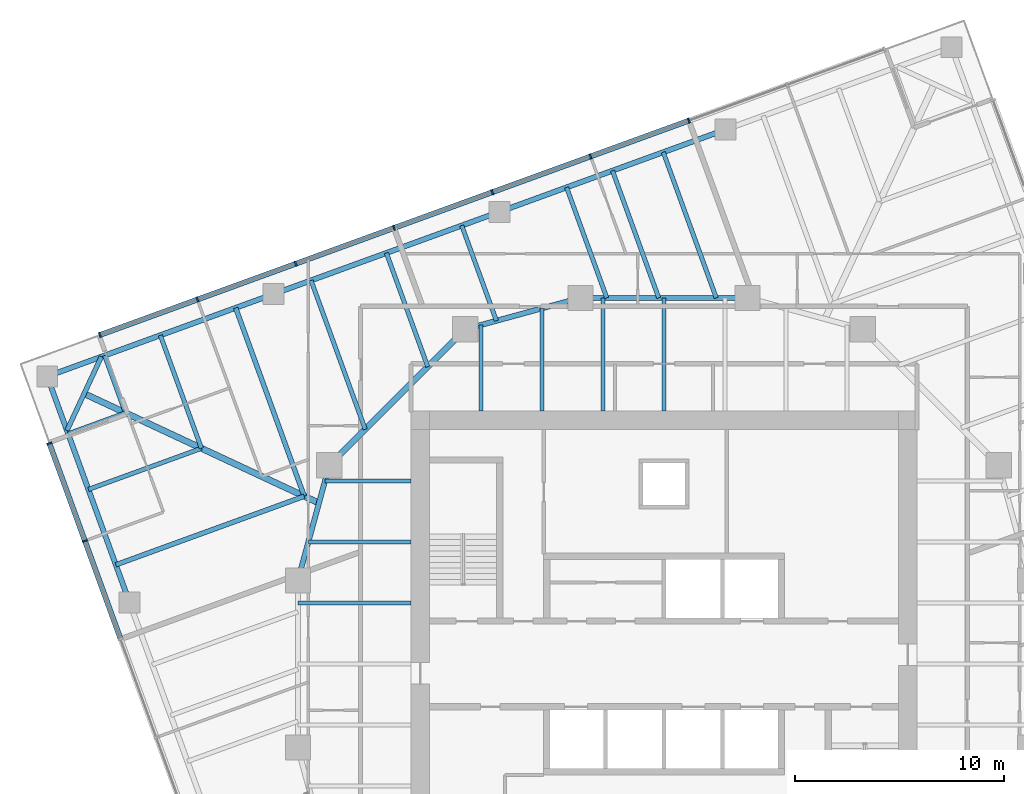
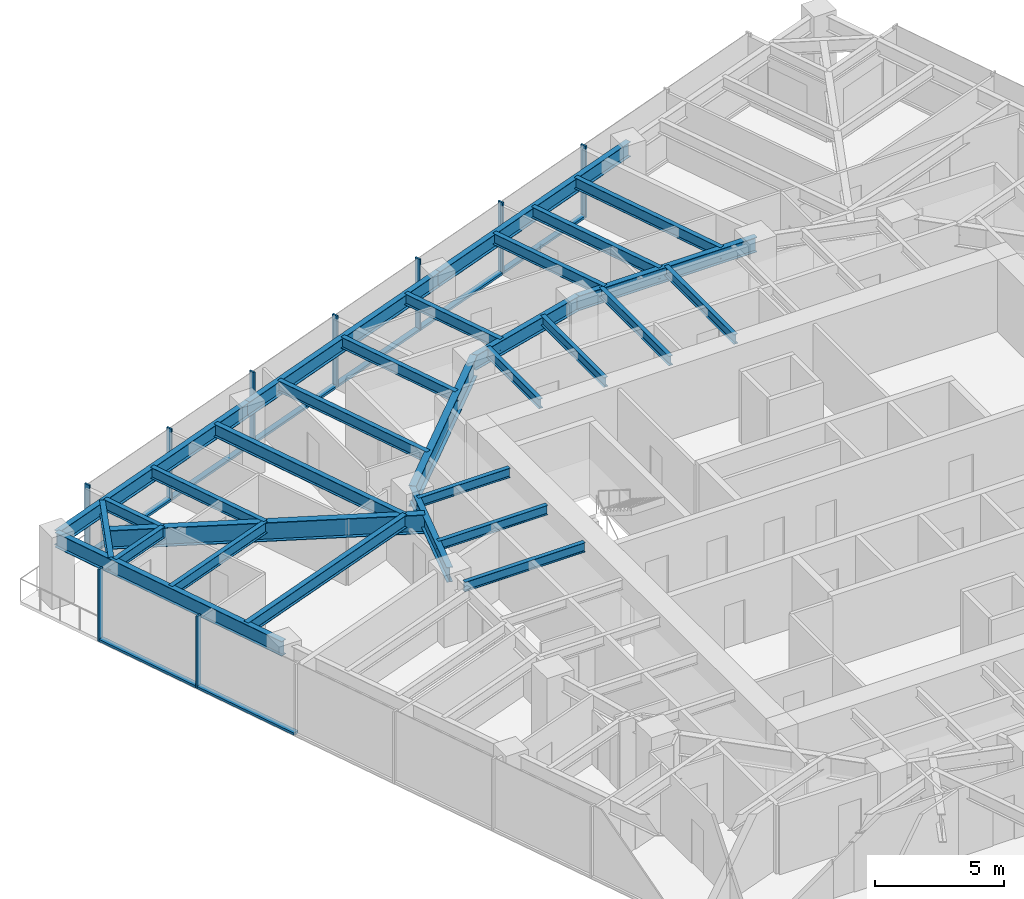
# One storey, part 4 of 13: 29 beams, 17 members, 2 elements without a shape of their own.
"""IFC4 building model written with IfcOpenShell, lengths in metres."""

from ifc_helpers import new_model, si_unit, direction, frame, origin, origin_2d, place, context, subcontext, project, spatial, rectangle, i_section, extrude, material, material_profile, profile_set, type_object, element, aggregate, save


model = new_model("IFC4")

# Units and contexts
model_context = context("Model", 3, precision=1e-05, world=origin(), true_north=direction((0.0, 1.0)))
body_context = subcontext(model_context, "Body", "Model", "MODEL_VIEW")
ifc_project = project(units=[si_unit("LENGTHUNIT", "METRE"), si_unit("AREAUNIT", "SQUARE_METRE"), si_unit("VOLUMEUNIT", "CUBIC_METRE"), si_unit("PLANEANGLEUNIT", "RADIAN"), si_unit("MASSUNIT", "GRAM", prefix="KILO")], contexts=[model_context])

# Site, building, storey
site_placement = place(None, origin())
site = spatial("IfcSite", under=ifc_project, at=site_placement, CompositionType="ELEMENT")
building_placement = place(site_placement, origin())
building = spatial("IfcBuilding", under=site, at=building_placement, Name="Torsade Residences", CompositionType="ELEMENT")
storey_placement = place(building_placement, frame((0.0, 0.0, 154.0)))
storey = spatial("IfcBuildingStorey", under=building, at=storey_placement, Name="L42", CompositionType="ELEMENT", Elevation=154.0)

# Beams
ifc_material_1 = material(Name="Steel grade 300", Category="steel")
ifc_material_profile_1 = material_profile(ifc_material_1, i_section(OverallWidth=0.300048828125, OverallDepth=0.89990234375, WebThickness=0.011962890625, FlangeThickness=0.02490234375, at=origin_2d()), Name="900WB175")
ifc_profile_set_1 = profile_set([ifc_material_profile_1], Name="Steel grade 300")
beam_type_1 = type_object("IfcBeamType", Name="CORNER GIRDER 900WB175", PredefinedType="BEAM", material=ifc_profile_set_1)
beam_1_placement = place(storey_placement, frame((12.282958984375, 42.924560546875, 2.800048828125), z_axis=(0.906308509373, -0.422616712682, 0.0), x_axis=(0.422616712682, 0.906308509373, 0.0)))
element("IfcBeam", 1, at=beam_1_placement, inside=storey, type_object=beam_type_1, Name="Corner girder 13 L43", PredefinedType="BEAM", context=body_context, shape_type="SweptSolid", body=[
    extrude(i_section(OverallWidth=0.300048828125, OverallDepth=0.89990234375, WebThickness=0.011962890625, FlangeThickness=0.02490234375, at=origin_2d()), origin(), (0.0, 0.0, 1.0), 12.3837890625),
])
ifc_material_2 = material(Name="Steel grade 300", Category="steel")
ifc_material_profile_2 = material_profile(ifc_material_2, i_section(OverallWidth=0.22802734375, OverallDepth=0.60205078125, WebThickness=0.010498046875, FlangeThickness=0.014892578125, FilletRadius=0.013916015625, at=origin_2d()), Name="610UB101")
ifc_profile_set_2 = profile_set([ifc_material_profile_2], Name="Steel grade 300")
beam_type_2 = type_object("IfcBeamType", Name="CORNER TRIMMER 610UB101", PredefinedType="BEAM", material=ifc_profile_set_2)
beam_2_placement = place(storey_placement, frame((11.461181640625, 41.162353515625, 2.948974609375), z_axis=(0.422613947806, 0.906309798645, 0.0), x_axis=(-0.906309798645, 0.422613947806, 0.0)))
element("IfcBeam", 2, at=beam_2_placement, inside=storey, type_object=beam_type_2, Name="Corner trimmer 13 L43", PredefinedType="BEAM", context=body_context, shape_type="SweptSolid", body=[
    extrude(i_section(OverallWidth=0.22802734375, OverallDepth=0.60205078125, WebThickness=0.010498046875, FlangeThickness=0.014892578125, FilletRadius=0.013916015625, at=origin_2d()), origin(), (0.0, 0.0, 1.0), 3.888916015625),
])
ifc_material_3 = material(Name="Steel grade 300", Category="steel")
ifc_material_profile_3 = material_profile(ifc_material_3, i_section(OverallWidth=0.25, OverallDepth=0.699951171875, WebThickness=0.010009765625, FlangeThickness=0.02001953125, at=origin_2d()), Name="700WB130")
ifc_profile_set_3 = profile_set([ifc_material_profile_3], Name="Steel grade 300")
beam_type_3 = type_object("IfcBeamType", Name="EDGE BEAM 700WB130", PredefinedType="SPANDREL", material=ifc_profile_set_3)
for number, where, z_axis, x_axis, name in (
    (3, (42.93994140625, 55.546142578125, 2.89990234375), (-0.939695448801, -0.342012373318, 0.0), (0.342012373318, -0.939695448801, 0.0), "Edge beam 10 L43"),
    (4, (32.133544921875, 51.613037109375, 2.89990234375), (-0.939688625666, -0.342031119628, 0.0), (0.342031119628, -0.939688625666, 0.0), "Edge beam 11 L43"),
    (5, (21.3271484375, 47.6796875, 2.89990234375), (-0.939697932031, -0.342005550448, 0.0), (0.342005550448, -0.939697932031, 0.0), "Edge beam 12 L43"),
):
    element("IfcBeam", number, at=place(storey_placement, frame(where, z_axis=z_axis, x_axis=x_axis)), inside=storey, type_object=beam_type_3, Name=name, PredefinedType="SPANDREL", context=body_context, shape_type="SweptSolid", body=[
        extrude(i_section(OverallWidth=0.25, OverallDepth=0.699951171875, WebThickness=0.010009765625, FlangeThickness=0.02001953125, at=origin_2d()), origin(), (0.0, 0.0, 1.0), 11.5),
    ])
beam_3_placement = place(storey_placement, frame((10.5205078125, 43.74658203125, 2.89990234375), z_axis=(0.342024296483, -0.93969110915, 0.0), x_axis=(0.93969110915, 0.342024296483, 0.0)))
element("IfcBeam", 6, at=beam_3_placement, inside=storey, type_object=beam_type_3, Name="Edge beam 13 L43", PredefinedType="SPANDREL", context=body_context, shape_type="SweptSolid", body=[
    extrude(i_section(OverallWidth=0.25, OverallDepth=0.699951171875, WebThickness=0.010009765625, FlangeThickness=0.02001953125, at=origin_2d()), origin(), (0.0, 0.0, 1.0), 11.500244140625),
])
ifc_material_4 = material(Name="Steel grade 300", Category="steel")
ifc_material_profile_4 = material_profile(ifc_material_4, i_section(OverallWidth=0.18994140625, OverallDepth=0.4541015625, WebThickness=0.008544921875, FlangeThickness=0.0126953125, FilletRadius=0.011474609375, at=origin_2d()), Name="460UB67.1")
ifc_profile_set_4 = profile_set([ifc_material_profile_4], Name="Steel grade 300")
beam_type_4 = type_object("IfcBeamType", Name="INNER FLOOR BEAM 460UB67.1", PredefinedType="JOIST", material=ifc_profile_set_4)
beam_4_placement = place(storey_placement, frame((31.262451171875, 42.10009765625, 3.02294921875), z_axis=(0.0, 1.0, 0.0), x_axis=(-1.0, 0.0, 0.0)))
element("IfcBeam", 7, at=beam_4_placement, inside=storey, type_object=beam_type_4, Name="Inner floor beam IN01 L43", PredefinedType="JOIST", context=body_context, shape_type="SweptSolid", body=[
    extrude(i_section(OverallWidth=0.18994140625, OverallDepth=0.4541015625, WebThickness=0.008544921875, FlangeThickness=0.0126953125, FilletRadius=0.011474609375, at=origin_2d()), origin(), (0.0, 0.0, 1.0), 4.10791015625),
])
beam_5_placement = place(storey_placement, frame((34.175048828125, 42.10009765625, 3.02294921875), z_axis=(0.0, 1.0, 0.0), x_axis=(-1.0, 0.0, 0.0)))
element("IfcBeam", 8, at=beam_5_placement, inside=storey, type_object=beam_type_4, Name="Inner floor beam IN02 L43", PredefinedType="JOIST", context=body_context, shape_type="SweptSolid", body=[
    extrude(i_section(OverallWidth=0.18994140625, OverallDepth=0.4541015625, WebThickness=0.008544921875, FlangeThickness=0.0126953125, FilletRadius=0.011474609375, at=origin_2d()), origin(), (0.0, 0.0, 1.0), 4.902099609375),
])
for number, where, z_axis, x_axis, name in (
    (9, (37.08740234375, 42.10009765625, 3.02294921875), (0.0, 1.0, 0.0), (-1.0, 0.0, 0.0), "Inner floor beam IN03 L43"),
    (10, (40.0, 42.10009765625, 3.02294921875), (0.0, 1.0, 0.0), (-1.0, 0.0, 0.0), "Inner floor beam IN04 L43"),
):
    element("IfcBeam", number, at=place(storey_placement, frame(where, z_axis=z_axis, x_axis=x_axis)), inside=storey, type_object=beam_type_4, Name=name, PredefinedType="JOIST", context=body_context, shape_type="SweptSolid", body=[
        extrude(i_section(OverallWidth=0.18994140625, OverallDepth=0.4541015625, WebThickness=0.008544921875, FlangeThickness=0.0126953125, FilletRadius=0.011474609375, at=origin_2d()), origin(), (0.0, 0.0, 1.0), 5.39990234375),
    ])
beam_6_placement = place(storey_placement, frame((27.89990234375, 38.737548828125, 3.02294921875), z_axis=(-1.0, 0.0, 0.0), x_axis=(0.0, -1.0, 0.0)))
element("IfcBeam", 11, at=beam_6_placement, inside=storey, type_object=beam_type_4, Name="Inner floor beam IW01 L43", PredefinedType="JOIST", context=body_context, shape_type="SweptSolid", body=[
    extrude(i_section(OverallWidth=0.18994140625, OverallDepth=0.4541015625, WebThickness=0.008544921875, FlangeThickness=0.0126953125, FilletRadius=0.011474609375, at=origin_2d()), origin(), (0.0, 0.0, 1.0), 4.10791015625),
])
beam_7_placement = place(storey_placement, frame((27.89990234375, 35.824951171875, 3.02294921875), z_axis=(-1.0, 0.0, 0.0), x_axis=(0.0, -1.0, 0.0)))
element("IfcBeam", 12, at=beam_7_placement, inside=storey, type_object=beam_type_4, Name="Inner floor beam IW02 L43", PredefinedType="JOIST", context=body_context, shape_type="SweptSolid", body=[
    extrude(i_section(OverallWidth=0.18994140625, OverallDepth=0.4541015625, WebThickness=0.008544921875, FlangeThickness=0.0126953125, FilletRadius=0.011474609375, at=origin_2d()), origin(), (0.0, 0.0, 1.0), 4.902099609375),
])
beam_8_placement = place(storey_placement, frame((27.89990234375, 32.91259765625, 3.02294921875), z_axis=(-1.0, 0.0, 0.0), x_axis=(0.0, -1.0, 0.0)))
element("IfcBeam", 13, at=beam_8_placement, inside=storey, type_object=beam_type_4, Name="Inner floor beam IW03 L43", PredefinedType="JOIST", context=body_context, shape_type="SweptSolid", body=[
    extrude(i_section(OverallWidth=0.18994140625, OverallDepth=0.4541015625, WebThickness=0.008544921875, FlangeThickness=0.0126953125, FilletRadius=0.011474609375, at=origin_2d()), origin(), (0.0, 0.0, 1.0), 5.39990234375),
])

# Curtain wall, members
ifc_material_5 = material(Name="Aluminium and glass", Category="aluminium")
curtain_wall_type = type_object("IfcCurtainWallType", Name="FRITTED GLASS CURTAIN WALL MID ZONE", PredefinedType="NOTDEFINED", material=ifc_material_5)
curtain_wall_1_placement = place(storey_placement, origin())
curtain_wall_1 = element("IfcCurtainWall", 14, at=curtain_wall_1_placement, inside=storey, type_object=curtain_wall_type, Name="Curtain wall L42 face 7", PredefinedType="NOTDEFINED")
ifc_material_6 = material(Name="Aluminium mullion", Category="aluminium")
ifc_material_profile_5 = material_profile(ifc_material_6, rectangle(XDim=0.25, YDim=0.080078125, at=origin_2d()), Name="MID ZONE CURTAIN WALL MULLION 250x80")
ifc_profile_set_5 = profile_set([ifc_material_profile_5], Name="Aluminium mullion")
member_type_1 = type_object("IfcMemberType", Name="MID ZONE CURTAIN WALL MULLION 250x80", PredefinedType="MULLION", material=ifc_profile_set_5)
member_1_placement = place(storey_placement, frame((41.1884765625, 55.972900390625, 0.0), z_axis=(0.0, 0.0, 1.0), x_axis=(0.342020147869, -0.939692619132, 0.0)))
member_1 = element("IfcMember", 15, at=member_1_placement, type_object=member_type_1, Name="Mullion 3", PredefinedType="MULLION", context=body_context, shape_type="SweptSolid", body=[
    extrude(rectangle(XDim=0.25, YDim=0.080078125, at=origin_2d()), origin(), (0.0, 0.0, 1.0), 3.39990234375),
])
member_2_placement = place(storey_placement, frame((36.489990234375, 54.2626953125, 0.0), z_axis=(0.0, 0.0, 1.0), x_axis=(0.342020147869, -0.939692619132, 0.0)))
member_2 = element("IfcMember", 16, at=member_2_placement, type_object=member_type_1, Name="Mullion 4", PredefinedType="MULLION", context=body_context, shape_type="SweptSolid", body=[
    extrude(rectangle(XDim=0.25, YDim=0.080078125, at=origin_2d()), origin(), (0.0, 0.0, 1.0), 3.39990234375),
])
member_3_placement = place(storey_placement, frame((31.79150390625, 52.552734375, 0.0), z_axis=(0.0, 0.0, 1.0), x_axis=(0.342020147869, -0.939692619132, 0.0)))
member_3 = element("IfcMember", 17, at=member_3_placement, type_object=member_type_1, Name="Mullion 5", PredefinedType="MULLION", context=body_context, shape_type="SweptSolid", body=[
    extrude(rectangle(XDim=0.25, YDim=0.080078125, at=origin_2d()), origin(), (0.0, 0.0, 1.0), 3.39990234375),
])
member_4_placement = place(storey_placement, frame((27.093017578125, 50.842529296875, 0.0), z_axis=(0.0, 0.0, 1.0), x_axis=(0.342020147869, -0.939692619132, 0.0)))
member_4 = element("IfcMember", 18, at=member_4_placement, type_object=member_type_1, Name="Mullion 6", PredefinedType="MULLION", context=body_context, shape_type="SweptSolid", body=[
    extrude(rectangle(XDim=0.25, YDim=0.080078125, at=origin_2d()), origin(), (0.0, 0.0, 1.0), 3.39990234375),
])
member_5_placement = place(storey_placement, frame((22.39453125, 49.13232421875, 0.0), z_axis=(0.0, 0.0, 1.0), x_axis=(0.342020147869, -0.939692619132, 0.0)))
member_5 = element("IfcMember", 19, at=member_5_placement, type_object=member_type_1, Name="Mullion 7", PredefinedType="MULLION", context=body_context, shape_type="SweptSolid", body=[
    extrude(rectangle(XDim=0.25, YDim=0.080078125, at=origin_2d()), origin(), (0.0, 0.0, 1.0), 3.39990234375),
])
member_6_placement = place(storey_placement, frame((17.696044921875, 47.42236328125, 0.0), z_axis=(0.0, 0.0, 1.0), x_axis=(0.342020147869, -0.939692619132, 0.0)))
member_6 = element("IfcMember", 20, at=member_6_placement, type_object=member_type_1, Name="Mullion 8", PredefinedType="MULLION", context=body_context, shape_type="SweptSolid", body=[
    extrude(rectangle(XDim=0.25, YDim=0.080078125, at=origin_2d()), origin(), (0.0, 0.0, 1.0), 3.39990234375),
])
member_7_placement = place(storey_placement, frame((13.03515625, 45.725830078125, 0.0), z_axis=(0.0, 0.0, 1.0), x_axis=(0.342020147869, -0.939692619132, 0.0)))
member_7 = element("IfcMember", 21, at=member_7_placement, type_object=member_type_1, Name="Mullion 9", PredefinedType="MULLION", context=body_context, shape_type="SweptSolid", body=[
    extrude(rectangle(XDim=0.25, YDim=0.080078125, at=origin_2d()), origin(), (0.0, 0.0, 1.0), 3.39990234375),
])

curtain_wall_2_placement = place(storey_placement, origin())
curtain_wall_2 = element("IfcCurtainWall", 22, at=curtain_wall_2_placement, inside=storey, type_object=curtain_wall_type, Name="Curtain wall L42 face 10", PredefinedType="NOTDEFINED")
member_8_placement = place(storey_placement, frame((10.62060546875, 40.5478515625, 0.0), z_axis=(0.0, 0.0, 1.0), x_axis=(0.939692619132, 0.342020147869, 0.0)))
member_8 = element("IfcMember", 23, at=member_8_placement, type_object=member_type_1, Name="Mullion 1", PredefinedType="MULLION", context=body_context, shape_type="SweptSolid", body=[
    extrude(rectangle(XDim=0.25, YDim=0.080078125, at=origin_2d()), origin(), (0.0, 0.0, 1.0), 3.39990234375),
])
member_9_placement = place(storey_placement, frame((12.317138671875, 35.886962890625, 0.0), z_axis=(0.0, 0.0, 1.0), x_axis=(0.939692619132, 0.342020147869, 0.0)))
member_9 = element("IfcMember", 24, at=member_9_placement, type_object=member_type_1, Name="Mullion 2", PredefinedType="MULLION", context=body_context, shape_type="SweptSolid", body=[
    extrude(rectangle(XDim=0.25, YDim=0.080078125, at=origin_2d()), origin(), (0.0, 0.0, 1.0), 3.39990234375),
])

# Member
ifc_material_7 = material(Name="Aluminium transom", Category="aluminium")
ifc_material_profile_6 = material_profile(ifc_material_7, rectangle(XDim=0.25, YDim=0.110107421875, at=origin_2d()), Name="MID ZONE CURTAIN WALL TRANSOM 250x110")
ifc_profile_set_6 = profile_set([ifc_material_profile_6], Name="Aluminium transom")
member_type_2 = type_object("IfcMemberType", Name="MID ZONE CURTAIN WALL TRANSOM 250x110", PredefinedType="USERDEFINED", material=ifc_profile_set_6)
member_10_placement = place(storey_placement, frame((41.15087890625, 55.959228515625, 0.054931640625), z_axis=(-0.93968471549, -0.342041862168, 0.0), x_axis=(0.342041862168, -0.93968471549, 0.0)))
member_10 = element("IfcMember", 25, at=member_10_placement, type_object=member_type_2, Name="Transom 3.1", ObjectType="TRANSOM", PredefinedType="USERDEFINED", context=body_context, shape_type="SweptSolid", body=[
    extrude(rectangle(XDim=0.25, YDim=0.110107421875, at=origin_2d()), origin(), (0.0, 0.0, 1.0), 4.920166015625),
])

member_11_placement = place(storey_placement, frame((36.452392578125, 54.2490234375, 0.054931640625), z_axis=(-0.9397006637, -0.341998044792, 0.0), x_axis=(0.341998044792, -0.9397006637, 0.0)))
member_11 = element("IfcMember", 26, at=member_11_placement, type_object=member_type_2, Name="Transom 4.1", ObjectType="TRANSOM", PredefinedType="USERDEFINED", context=body_context, shape_type="SweptSolid", body=[
    extrude(rectangle(XDim=0.25, YDim=0.110107421875, at=origin_2d()), origin(), (0.0, 0.0, 1.0), 4.919921875),
])

member_12_placement = place(storey_placement, frame((31.75390625, 52.5390625, 0.054931640625), z_axis=(-0.93968471549, -0.342041862168, 0.0), x_axis=(0.342041862168, -0.93968471549, 0.0)))
member_12 = element("IfcMember", 27, at=member_12_placement, type_object=member_type_2, Name="Transom 5.1", ObjectType="TRANSOM", PredefinedType="USERDEFINED", context=body_context, shape_type="SweptSolid", body=[
    extrude(rectangle(XDim=0.25, YDim=0.110107421875, at=origin_2d()), origin(), (0.0, 0.0, 1.0), 4.920166015625),
])

member_13_placement = place(storey_placement, frame((27.055419921875, 50.828857421875, 0.054931640625), z_axis=(-0.93968471549, -0.342041862168, 0.0), x_axis=(0.342041862168, -0.93968471549, 0.0)))
member_13 = element("IfcMember", 28, at=member_13_placement, type_object=member_type_2, Name="Transom 6.1", ObjectType="TRANSOM", PredefinedType="USERDEFINED", context=body_context, shape_type="SweptSolid", body=[
    extrude(rectangle(XDim=0.25, YDim=0.110107421875, at=origin_2d()), origin(), (0.0, 0.0, 1.0), 4.920166015625),
])

member_14_placement = place(storey_placement, frame((22.35693359375, 49.11865234375, 0.054931640625), z_axis=(-0.9397006637, -0.341998044792, 0.0), x_axis=(0.341998044792, -0.9397006637, 0.0)))
member_14 = element("IfcMember", 29, at=member_14_placement, type_object=member_type_2, Name="Transom 7.1", ObjectType="TRANSOM", PredefinedType="USERDEFINED", context=body_context, shape_type="SweptSolid", body=[
    extrude(rectangle(XDim=0.25, YDim=0.110107421875, at=origin_2d()), origin(), (0.0, 0.0, 1.0), 4.919921875),
])

member_15_placement = place(storey_placement, frame((17.658447265625, 47.40869140625, 0.054931640625), z_axis=(-0.939683823915, -0.342044311564, 0.0), x_axis=(0.342044311564, -0.939683823915, 0.0)))
member_15 = element("IfcMember", 30, at=member_15_placement, type_object=member_type_2, Name="Transom 8.1", ObjectType="TRANSOM", PredefinedType="USERDEFINED", context=body_context, shape_type="SweptSolid", body=[
    extrude(rectangle(XDim=0.25, YDim=0.110107421875, at=origin_2d()), origin(), (0.0, 0.0, 1.0), 4.880126953125),
])

aggregate(curtain_wall_1, [member_1, member_2, member_3, member_4, member_5, member_6, member_7, member_10, member_11, member_12, member_13, member_14, member_15])

member_16_placement = place(storey_placement, frame((10.63427734375, 40.51025390625, 0.054931640625), z_axis=(0.342044311564, -0.939683823915, 0.0), x_axis=(0.939683823915, 0.342044311564, 0.0)))
member_16 = element("IfcMember", 31, at=member_16_placement, type_object=member_type_2, Name="Transom 1.1", ObjectType="TRANSOM", PredefinedType="USERDEFINED", context=body_context, shape_type="SweptSolid", body=[
    extrude(rectangle(XDim=0.25, YDim=0.110107421875, at=origin_2d()), origin(), (0.0, 0.0, 1.0), 4.880126953125),
])

member_17_placement = place(storey_placement, frame((12.330810546875, 35.849365234375, 0.054931640625), z_axis=(0.341998044792, -0.9397006637, 0.0), x_axis=(0.9397006637, 0.341998044792, 0.0)))
member_17 = element("IfcMember", 32, at=member_17_placement, type_object=member_type_2, Name="Transom 2.1", ObjectType="TRANSOM", PredefinedType="USERDEFINED", context=body_context, shape_type="SweptSolid", body=[
    extrude(rectangle(XDim=0.25, YDim=0.110107421875, at=origin_2d()), origin(), (0.0, 0.0, 1.0), 4.919921875),
])

aggregate(curtain_wall_2, [member_8, member_9, member_16, member_17])

# Beams
ifc_material_8 = material(Name="Steel grade 300", Category="steel")
ifc_material_profile_7 = material_profile(ifc_material_8, i_section(OverallWidth=0.300048828125, OverallDepth=1.0, WebThickness=0.01611328125, FlangeThickness=0.028076171875, at=origin_2d()), Name="1000WB215")
ifc_profile_set_7 = profile_set([ifc_material_profile_7], Name="Steel grade 300")
beam_type_5 = type_object("IfcBeamType", Name="RING CORNER GIRDER 1000WB215", PredefinedType="BEAM", material=ifc_profile_set_7)
beam_9_placement = place(storey_placement, frame((30.5, 46.0, 2.75), z_axis=(-0.707106781187, -0.707106781187, 0.0), x_axis=(0.707106781187, -0.707106781187, 0.0)))
element("IfcBeam", 33, at=beam_9_placement, inside=storey, type_object=beam_type_5, Name="Ring girder IR07 L43", PredefinedType="BEAM", context=body_context, shape_type="SweptSolid", body=[
    extrude(i_section(OverallWidth=0.300048828125, OverallDepth=1.0, WebThickness=0.01611328125, FlangeThickness=0.028076171875, at=origin_2d()), origin(), (0.0, 0.0, 1.0), 9.1923828125),
])
ifc_material_9 = material(Name="Steel grade 300", Category="steel")
ifc_material_profile_8 = material_profile(ifc_material_9, i_section(OverallWidth=0.25, OverallDepth=0.699951171875, WebThickness=0.010009765625, FlangeThickness=0.02001953125, at=origin_2d()), Name="700WB130")
ifc_profile_set_8 = profile_set([ifc_material_profile_8], Name="Steel grade 300")
beam_type_6 = type_object("IfcBeamType", Name="RING GIRDER 700WB130", PredefinedType="BEAM", material=ifc_profile_set_8)
beam_10_placement = place(storey_placement, frame((44.0, 47.5, 2.89990234375), z_axis=(-1.0, 0.0, 0.0), x_axis=(0.0, -1.0, 0.0)))
element("IfcBeam", 34, at=beam_10_placement, inside=storey, type_object=beam_type_6, Name="Ring girder IR05 L43", PredefinedType="BEAM", context=body_context, shape_type="SweptSolid", body=[
    extrude(i_section(OverallWidth=0.25, OverallDepth=0.699951171875, WebThickness=0.010009765625, FlangeThickness=0.02001953125, at=origin_2d()), origin(), (0.0, 0.0, 1.0), 8.0),
])
for number, where, z_axis, x_axis, name in (
    (35, (36.0, 47.5, 2.89990234375), (-0.964763821238, -0.263117405792, 0.0), (0.263117405792, -0.964763821238, 0.0), "Ring girder IR06 L43"),
    (36, (24.0, 39.5, 2.89990234375), (-0.263117405792, -0.964763821238, 0.0), (0.964763821238, -0.263117405792, 0.0), "Ring girder IR08 L43"),
):
    element("IfcBeam", number, at=place(storey_placement, frame(where, z_axis=z_axis, x_axis=x_axis)), inside=storey, type_object=beam_type_6, Name=name, PredefinedType="BEAM", context=body_context, shape_type="SweptSolid", body=[
        extrude(i_section(OverallWidth=0.25, OverallDepth=0.699951171875, WebThickness=0.010009765625, FlangeThickness=0.02001953125, at=origin_2d()), origin(), (0.0, 0.0, 1.0), 5.700927734375),
    ])
ifc_material_10 = material(Name="Steel grade 300", Category="steel")
ifc_material_profile_9 = material_profile(ifc_material_10, i_section(OverallWidth=0.208984375, OverallDepth=0.528076171875, WebThickness=0.009521484375, FlangeThickness=0.01318359375, FilletRadius=0.013916015625, at=origin_2d()), Name="530UB82.0")
ifc_profile_set_9 = profile_set([ifc_material_profile_9], Name="Steel grade 300")
beam_type_7 = type_object("IfcBeamType", Name="SECONDARY BEAM 530UB82.0", PredefinedType="JOIST", material=ifc_profile_set_9)
beam_11_placement = place(storey_placement, frame((39.96435546875, 54.463134765625, 2.986083984375), z_axis=(0.342026105929, -0.939690450554, 0.0), x_axis=(0.939690450554, 0.342026105929, 0.0)))
element("IfcBeam", 37, at=beam_11_placement, inside=storey, type_object=beam_type_7, Name="Floor beam FN04 L43", PredefinedType="JOIST", context=body_context, shape_type="SweptSolid", body=[
    extrude(i_section(OverallWidth=0.208984375, OverallDepth=0.528076171875, WebThickness=0.009521484375, FlangeThickness=0.01318359375, FilletRadius=0.013916015625, at=origin_2d()), origin(), (0.0, 0.0, 1.0), 7.409912109375),
])
beam_12_placement = place(storey_placement, frame((37.536865234375, 53.57958984375, 2.986083984375), z_axis=(0.342000590983, -0.939699737026, 0.0), x_axis=(0.939699737026, 0.342000590983, 0.0)))
element("IfcBeam", 38, at=beam_12_placement, inside=storey, type_object=beam_type_7, Name="Floor beam FN05 L43", PredefinedType="JOIST", context=body_context, shape_type="SweptSolid", body=[
    extrude(i_section(OverallWidth=0.208984375, OverallDepth=0.528076171875, WebThickness=0.009521484375, FlangeThickness=0.01318359375, FilletRadius=0.013916015625, at=origin_2d()), origin(), (0.0, 0.0, 1.0), 6.4697265625),
])
beam_13_placement = place(storey_placement, frame((35.34423828125, 52.781494140625, 2.986083984375), z_axis=(0.341990681925, -0.939703343336, 0.0), x_axis=(0.939703343336, 0.341990681925, 0.0)))
element("IfcBeam", 39, at=beam_13_placement, inside=storey, type_object=beam_type_7, Name="Floor beam FN06 L43", PredefinedType="JOIST", context=body_context, shape_type="SweptSolid", body=[
    extrude(i_section(OverallWidth=0.208984375, OverallDepth=0.528076171875, WebThickness=0.009521484375, FlangeThickness=0.01318359375, FilletRadius=0.013916015625, at=origin_2d()), origin(), (0.0, 0.0, 1.0), 5.620361328125),
])
beam_14_placement = place(storey_placement, frame((30.33251953125, 50.957275390625, 2.986083984375), z_axis=(0.342014218604, -0.939694777187, 0.0), x_axis=(0.939694777187, 0.342014218604, 0.0)))
element("IfcBeam", 40, at=beam_14_placement, inside=storey, type_object=beam_type_7, Name="Floor beam FN07 L43", PredefinedType="JOIST", context=body_context, shape_type="SweptSolid", body=[
    extrude(i_section(OverallWidth=0.208984375, OverallDepth=0.528076171875, WebThickness=0.009521484375, FlangeThickness=0.01318359375, FilletRadius=0.013916015625, at=origin_2d()), origin(), (0.0, 0.0, 1.0), 4.84326171875),
])
beam_15_placement = place(storey_placement, frame((26.730224609375, 49.646240234375, 2.986083984375), z_axis=(0.342034409239, -0.939687428295, 0.0), x_axis=(0.939687428295, 0.342034409239, 0.0)))
element("IfcBeam", 41, at=beam_15_placement, inside=storey, type_object=beam_type_7, Name="Floor beam FN08 L43", PredefinedType="JOIST", context=body_context, shape_type="SweptSolid", body=[
    extrude(i_section(OverallWidth=0.208984375, OverallDepth=0.528076171875, WebThickness=0.009521484375, FlangeThickness=0.01318359375, FilletRadius=0.013916015625, at=origin_2d()), origin(), (0.0, 0.0, 1.0), 5.785888671875),
])
beam_16_placement = place(storey_placement, frame((23.128173828125, 48.335205078125, 2.986083984375), z_axis=(0.342027762686, -0.939689847531, 0.0), x_axis=(0.939689847531, 0.342027762686, 0.0)))
element("IfcBeam", 42, at=beam_16_placement, inside=storey, type_object=beam_type_7, Name="Floor beam FN09 L43", PredefinedType="JOIST", context=body_context, shape_type="SweptSolid", body=[
    extrude(i_section(OverallWidth=0.208984375, OverallDepth=0.528076171875, WebThickness=0.009521484375, FlangeThickness=0.01318359375, FilletRadius=0.013916015625, at=origin_2d()), origin(), (0.0, 0.0, 1.0), 7.573486328125),
])
beam_17_placement = place(storey_placement, frame((15.923828125, 45.713134765625, 2.986083984375), z_axis=(0.342005550448, -0.939697932031, 0.0), x_axis=(0.939697932031, 0.342005550448, 0.0)))
element("IfcBeam", 43, at=beam_17_placement, inside=storey, type_object=beam_type_7, Name="Floor beam FN11 L43", PredefinedType="JOIST", context=body_context, shape_type="SweptSolid", body=[
    extrude(i_section(OverallWidth=0.208984375, OverallDepth=0.528076171875, WebThickness=0.009521484375, FlangeThickness=0.01318359375, FilletRadius=0.013916015625, at=origin_2d()), origin(), (0.0, 0.0, 1.0), 5.75),
])
for number, where, z_axis, x_axis, name in (
    (44, (13.261474609375, 44.744140625, 2.986083984375), (0.341998427281, -0.939700524495, 0.0), (0.939700524495, 0.341998427281, 0.0), "Floor beam FN12 L43"),
    (45, (11.51806640625, 41.005615234375, 2.986083984375), (0.939700524495, 0.341998427281, 0.0), (-0.341998427281, 0.939700524495, 0.0), "Floor beam FW01 L43"),
):
    element("IfcBeam", number, at=place(storey_placement, frame(where, z_axis=z_axis, x_axis=x_axis)), inside=storey, type_object=beam_type_7, Name=name, PredefinedType="JOIST", context=body_context, shape_type="SweptSolid", body=[
        extrude(i_section(OverallWidth=0.208984375, OverallDepth=0.528076171875, WebThickness=0.009521484375, FlangeThickness=0.01318359375, FilletRadius=0.013916015625, at=origin_2d()), origin(), (0.0, 0.0, 1.0), 2.916748046875),
    ])
beam_18_placement = place(storey_placement, frame((12.4873046875, 38.34326171875, 2.986083984375), z_axis=(0.939692965423, 0.342019196443, 0.0), x_axis=(-0.342019196443, 0.939692965423, 0.0)))
element("IfcBeam", 46, at=beam_18_placement, inside=storey, type_object=beam_type_7, Name="Floor beam FW02 L43", PredefinedType="JOIST", context=body_context, shape_type="SweptSolid", body=[
    extrude(i_section(OverallWidth=0.208984375, OverallDepth=0.528076171875, WebThickness=0.009521484375, FlangeThickness=0.01318359375, FilletRadius=0.013916015625, at=origin_2d()), origin(), (0.0, 0.0, 1.0), 5.749755859375),
])
ifc_material_11 = material(Name="Steel grade 300", Category="steel")
ifc_material_profile_10 = material_profile(ifc_material_11, i_section(OverallWidth=0.22900390625, OverallDepth=0.612060546875, WebThickness=0.011962890625, FlangeThickness=0.01953125, FilletRadius=0.013916015625, at=origin_2d()), Name="610UB125")
ifc_profile_set_10 = profile_set([ifc_material_profile_10], Name="Steel grade 300")
beam_type_8 = type_object("IfcBeamType", Name="SECONDARY BEAM 610UB125", PredefinedType="JOIST", material=ifc_profile_set_10)
for number, where, z_axis, x_axis, name in (
    (47, (19.52587890625, 47.024169921875, 2.944091796875), (0.342033504181, -0.939687757725, 0.0), (0.939687757725, 0.342033504181, 0.0), "Floor beam FN10 L43"),
    (48, (13.79833984375, 34.740966796875, 2.944091796875), (0.939687757725, 0.342033504181, 0.0), (-0.342033504181, 0.939687757725, 0.0), "Floor beam FW03 L43"),
):
    element("IfcBeam", number, at=place(storey_placement, frame(where, z_axis=z_axis, x_axis=x_axis)), inside=storey, type_object=beam_type_8, Name=name, PredefinedType="JOIST", context=body_context, shape_type="SweptSolid", body=[
        extrude(i_section(OverallWidth=0.22900390625, OverallDepth=0.612060546875, WebThickness=0.011962890625, FlangeThickness=0.01953125, FilletRadius=0.013916015625, at=origin_2d()), origin(), (0.0, 0.0, 1.0), 9.583251953125),
    ])

save(model, "model.ifc")
